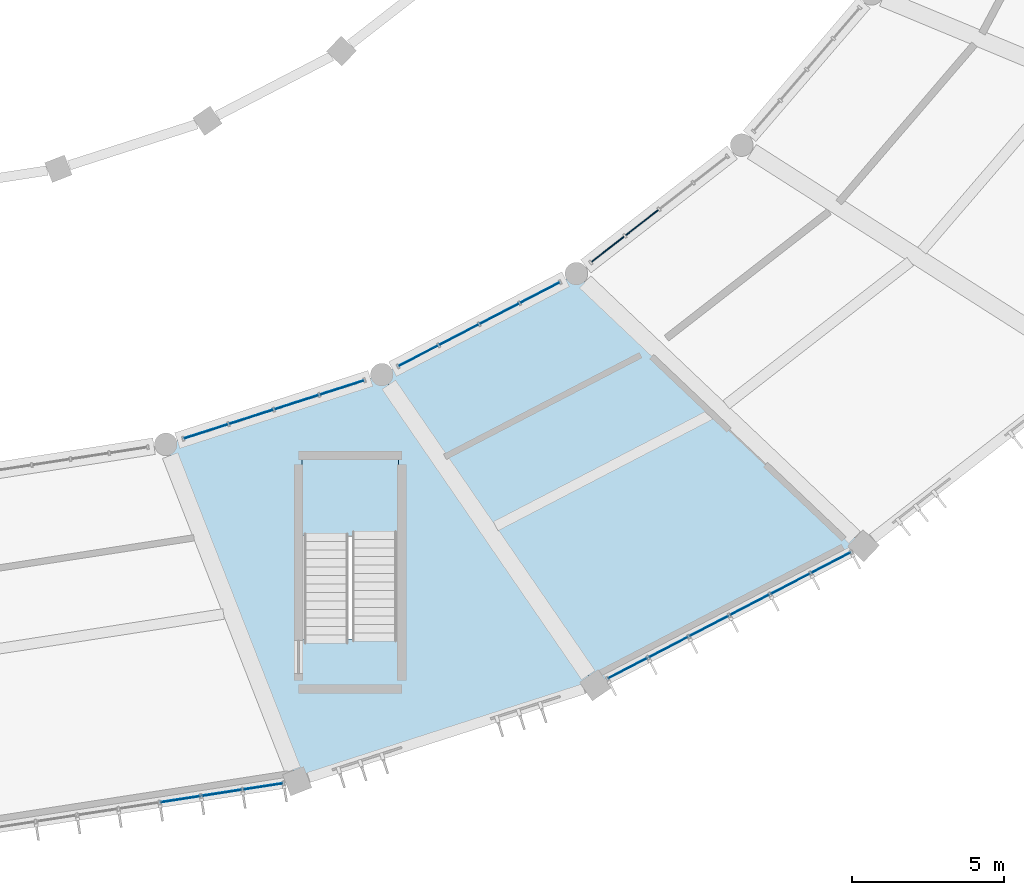
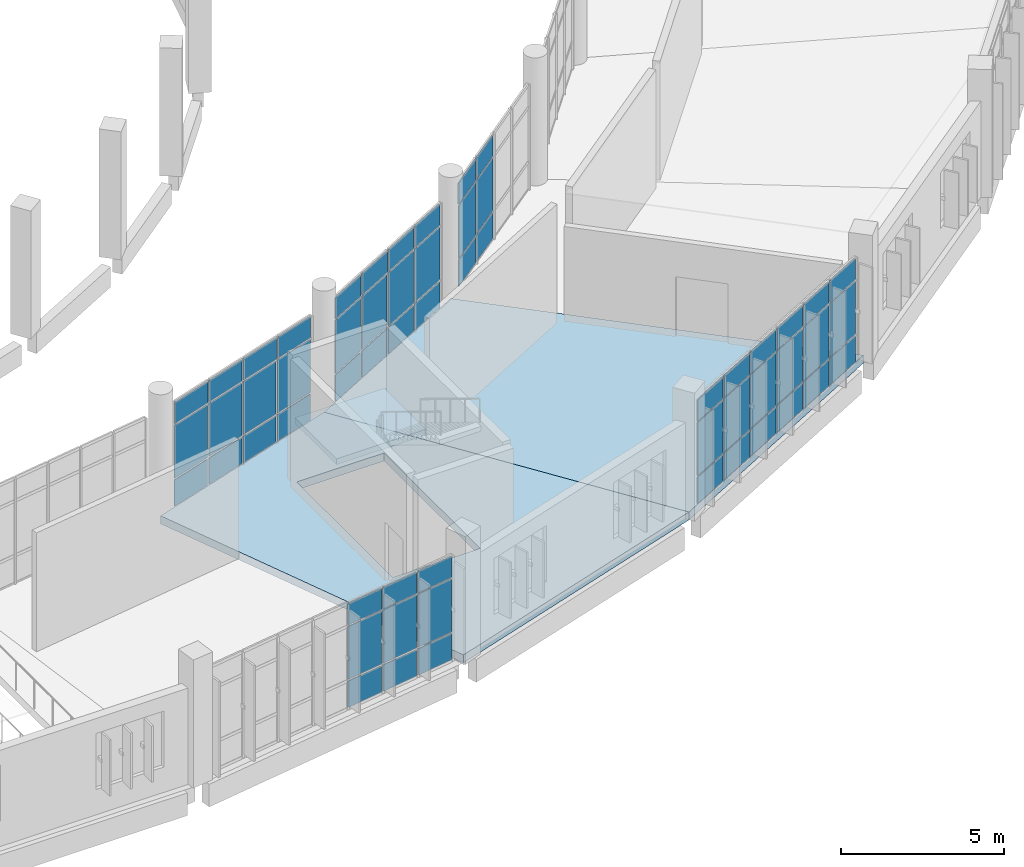
# One storey, part 96 of 179: 57 plates, 3 slabs, 6 elements without a shape of their own.
"""IFC4 building model written with IfcOpenShell, lengths in metres."""

from ifc_helpers import new_model, si_unit, direction, frame, origin, origin_2d, place, context, subcontext, project, spatial, polyline, rectangle, outline, extrude, material, layer, layer_set, type_object, element, aggregate, save


model = new_model("IFC4")

# Units and contexts
model_context = context("Model", 3, precision=1e-05, world=origin(), true_north=direction((0.0, 1.0)))
body_context = subcontext(model_context, "Body", "Model", "MODEL_VIEW")
ifc_project = project(units=[si_unit("LENGTHUNIT", "METRE"), si_unit("AREAUNIT", "SQUARE_METRE"), si_unit("VOLUMEUNIT", "CUBIC_METRE"), si_unit("PLANEANGLEUNIT", "RADIAN"), si_unit("MASSUNIT", "GRAM", prefix="KILO")], contexts=[model_context])

# Site, building, storey
site_placement = place(None, origin())
site = spatial("IfcSite", under=ifc_project, at=site_placement, CompositionType="ELEMENT")
building_placement = place(site_placement, origin())
building = spatial("IfcBuilding", under=site, at=building_placement, Name="Corvandel Quay Wholesale Market", CompositionType="ELEMENT")
storey_placement = place(building_placement, frame((0.0, 0.0, 6.0)))
storey = spatial("IfcBuildingStorey", under=building, at=storey_placement, Name="L01", CompositionType="ELEMENT", Elevation=6.0)

# Curtain wall, plates
ifc_material_1 = material(Name="Bronze anodised aluminium and low-E insulated glazing", Category="aluminium")
ifc_layer_1 = layer(ifc_material_1, 0.162109375)
ifc_layer_set_1 = layer_set([ifc_layer_1], Name="Bronze anodised aluminium and low-E insulated glazing")
curtain_wall_type_1 = type_object("IfcCurtainWallType", Name="Stick Curtain Wall System CW01 H3090", PredefinedType="NOTDEFINED", material=ifc_layer_set_1)
curtain_wall_1_placement = place(storey_placement, origin())
curtain_wall_1 = element("IfcCurtainWall", 1, at=curtain_wall_1_placement, inside=storey, type_object=curtain_wall_type_1, Name="Curtain Wall CW-0071", PredefinedType="NOTDEFINED")
ifc_material_2 = material(Name="Solar-control low-E insulated glazing", Category="glass")
ifc_layer_2 = layer(ifc_material_2, 0.0400390625)
ifc_layer_set_2 = layer_set([ifc_layer_2], Name="Solar-control low-E insulated glazing")
plate_type_1 = type_object("IfcPlateType", Name="Ceramic Fritted Spandrel Panel PN03 40mm", PredefinedType="CURTAIN_PANEL", material=ifc_layer_set_2)
plate_1_placement = place(storey_placement, frame((125.898193359375, 1.017822265625, 3.1298828125), z_axis=(0.0, 0.0, 1.0), x_axis=(0.98825506746, 0.152813355565, 0.0)))
plate_1 = element("IfcPlate", 2, at=plate_1_placement, type_object=plate_type_1, Name="Glazing Panel CW-0071-P04-2", PredefinedType="CURTAIN_PANEL", context=body_context, shape_type="SweptSolid", body=[
    extrude(rectangle(XDim=1.314453125, YDim=0.0400390625, at=origin_2d()), origin(), (0.0, 0.0, 1.0), 0.7900390625),
])
plate_2_placement = place(storey_placement, frame((127.261474609375, 1.228759765625, 3.1298828125), z_axis=(0.0, 0.0, 1.0), x_axis=(0.98825506746, 0.152813355565, 0.0)))
plate_2 = element("IfcPlate", 3, at=plate_2_placement, type_object=plate_type_1, Name="Glazing Panel CW-0071-P05-2", PredefinedType="CURTAIN_PANEL", context=body_context, shape_type="SweptSolid", body=[
    extrude(rectangle(XDim=1.314453125, YDim=0.0400390625, at=origin_2d()), origin(), (0.0, 0.0, 1.0), 0.7900390625),
])
plate_3_placement = place(storey_placement, frame((128.624755859375, 1.439697265625, 3.1298828125), z_axis=(0.0, 0.0, 1.0), x_axis=(0.98825506746, 0.152813355565, 0.0)))
plate_3 = element("IfcPlate", 4, at=plate_3_placement, type_object=plate_type_1, Name="Glazing Panel CW-0071-P06-2", PredefinedType="CURTAIN_PANEL", context=body_context, shape_type="SweptSolid", body=[
    extrude(rectangle(XDim=1.314453125, YDim=0.0400390625, at=origin_2d()), origin(), (0.0, 0.0, 1.0), 0.7900390625),
])

ifc_layer_3 = layer(ifc_material_1, 0.162109375)
ifc_layer_set_3 = layer_set([ifc_layer_3], Name="Bronze anodised aluminium and low-E insulated glazing")
curtain_wall_type_2 = type_object("IfcCurtainWallType", Name="Stick Curtain Wall System CW16 H4440", PredefinedType="NOTDEFINED", material=ifc_layer_set_3)
curtain_wall_2_placement = place(storey_placement, origin())
curtain_wall_2 = element("IfcCurtainWall", 5, at=curtain_wall_2_placement, inside=storey, type_object=curtain_wall_type_2, Name="Curtain Wall CW-0076", PredefinedType="NOTDEFINED")
plate_4_placement = place(storey_placement, frame((126.73876953125, 13.14501953125, 3.1298828125), z_axis=(0.0, 0.0, 1.0), x_axis=(0.951808747363, 0.306692204733, 0.0)))
plate_4 = element("IfcPlate", 6, at=plate_4_placement, type_object=plate_type_1, Name="Glazing Panel CW-0076-P00-2", PredefinedType="CURTAIN_PANEL", context=body_context, shape_type="SweptSolid", body=[
    extrude(rectangle(XDim=1.506103515625, YDim=0.0400390625, at=origin_2d()), origin(), (0.0, 0.0, 1.0), 0.7900390625),
])
plate_5_placement = place(storey_placement, frame((128.234375, 13.626953125, 3.1298828125), z_axis=(0.0, 0.0, 1.0), x_axis=(0.951808747363, 0.306692204733, 0.0)))
plate_5 = element("IfcPlate", 7, at=plate_5_placement, type_object=plate_type_1, Name="Glazing Panel CW-0076-P01-2", PredefinedType="CURTAIN_PANEL", context=body_context, shape_type="SweptSolid", body=[
    extrude(rectangle(XDim=1.506103515625, YDim=0.0400390625, at=origin_2d()), origin(), (0.0, 0.0, 1.0), 0.7900390625),
])
plate_6_placement = place(storey_placement, frame((129.729736328125, 14.10888671875, 3.1298828125), z_axis=(0.0, 0.0, 1.0), x_axis=(0.951808747363, 0.306692204733, 0.0)))
plate_6 = element("IfcPlate", 8, at=plate_6_placement, type_object=plate_type_1, Name="Glazing Panel CW-0076-P02-2", PredefinedType="CURTAIN_PANEL", context=body_context, shape_type="SweptSolid", body=[
    extrude(rectangle(XDim=1.506103515625, YDim=0.0400390625, at=origin_2d()), origin(), (0.0, 0.0, 1.0), 0.7900390625),
])
plate_7_placement = place(storey_placement, frame((131.22509765625, 14.591064453125, 3.1298828125), z_axis=(0.0, 0.0, 1.0), x_axis=(0.951808747363, 0.306692204733, 0.0)))
plate_7 = element("IfcPlate", 9, at=plate_7_placement, type_object=plate_type_1, Name="Glazing Panel CW-0076-P03-2", PredefinedType="CURTAIN_PANEL", context=body_context, shape_type="SweptSolid", body=[
    extrude(rectangle(XDim=1.506103515625, YDim=0.0400390625, at=origin_2d()), origin(), (0.0, 0.0, 1.0), 0.7900390625),
])

ifc_layer_4 = layer(ifc_material_1, 0.18603515625)
ifc_layer_set_4 = layer_set([ifc_layer_4], Name="Bronze anodised aluminium and low-E insulated glazing")
curtain_wall_type_3 = type_object("IfcCurtainWallType", Name="Stick Curtain Wall System CW03 H3270", PredefinedType="NOTDEFINED", material=ifc_layer_set_4)
curtain_wall_3_placement = place(storey_placement, origin())
curtain_wall_3 = element("IfcCurtainWall", 10, at=curtain_wall_3_placement, inside=storey, type_object=curtain_wall_type_3, Name="Curtain Wall CW-0078", PredefinedType="NOTDEFINED")
plate_8_placement = place(storey_placement, frame((140.648681640625, 5.3359375, 3.1298828125), z_axis=(0.0, 0.0, 1.0), x_axis=(0.887332978338, 0.461129250378, 0.0)))
plate_8 = element("IfcPlate", 11, at=plate_8_placement, type_object=plate_type_1, Name="Glazing Panel CW-0078-P00-2", PredefinedType="CURTAIN_PANEL", context=body_context, shape_type="SweptSolid", body=[
    extrude(rectangle(XDim=1.4462890625, YDim=0.0400390625, at=origin_2d()), origin(), (0.0, 0.0, 1.0), 0.7900390625),
])
plate_9_placement = place(storey_placement, frame((141.989501953125, 6.03271484375, 3.1298828125), z_axis=(0.0, 0.0, 1.0), x_axis=(0.887332978338, 0.461129250378, 0.0)))
plate_9 = element("IfcPlate", 12, at=plate_9_placement, type_object=plate_type_1, Name="Glazing Panel CW-0078-P01-2", PredefinedType="CURTAIN_PANEL", context=body_context, shape_type="SweptSolid", body=[
    extrude(rectangle(XDim=1.4462890625, YDim=0.0400390625, at=origin_2d()), origin(), (0.0, 0.0, 1.0), 0.7900390625),
])
plate_10_placement = place(storey_placement, frame((143.33056640625, 6.7294921875, 3.1298828125), z_axis=(0.0, 0.0, 1.0), x_axis=(0.887332978338, 0.461129250378, 0.0)))
plate_10 = element("IfcPlate", 13, at=plate_10_placement, type_object=plate_type_1, Name="Glazing Panel CW-0078-P02-2", PredefinedType="CURTAIN_PANEL", context=body_context, shape_type="SweptSolid", body=[
    extrude(rectangle(XDim=1.4462890625, YDim=0.0400390625, at=origin_2d()), origin(), (0.0, 0.0, 1.0), 0.7900390625),
])
plate_11_placement = place(storey_placement, frame((144.67138671875, 7.426513671875, 3.1298828125), z_axis=(0.0, 0.0, 1.0), x_axis=(0.887332978338, 0.461129250378, 0.0)))
plate_11 = element("IfcPlate", 14, at=plate_11_placement, type_object=plate_type_1, Name="Glazing Panel CW-0078-P03-2", PredefinedType="CURTAIN_PANEL", context=body_context, shape_type="SweptSolid", body=[
    extrude(rectangle(XDim=1.4462890625, YDim=0.0400390625, at=origin_2d()), origin(), (0.0, 0.0, 1.0), 0.7900390625),
])
plate_12_placement = place(storey_placement, frame((146.01220703125, 8.123291015625, 3.1298828125), z_axis=(0.0, 0.0, 1.0), x_axis=(0.887332978338, 0.461129250378, 0.0)))
plate_12 = element("IfcPlate", 15, at=plate_12_placement, type_object=plate_type_1, Name="Glazing Panel CW-0078-P04-2", PredefinedType="CURTAIN_PANEL", context=body_context, shape_type="SweptSolid", body=[
    extrude(rectangle(XDim=1.4462890625, YDim=0.0400390625, at=origin_2d()), origin(), (0.0, 0.0, 1.0), 0.7900390625),
])
plate_13_placement = place(storey_placement, frame((147.353271484375, 8.820068359375, 3.1298828125), z_axis=(0.0, 0.0, 1.0), x_axis=(0.887332978338, 0.461129250378, 0.0)))
plate_13 = element("IfcPlate", 16, at=plate_13_placement, type_object=plate_type_1, Name="Glazing Panel CW-0078-P05-2", PredefinedType="CURTAIN_PANEL", context=body_context, shape_type="SweptSolid", body=[
    extrude(rectangle(XDim=1.4462890625, YDim=0.0400390625, at=origin_2d()), origin(), (0.0, 0.0, 1.0), 0.7900390625),
])

ifc_layer_5 = layer(ifc_material_1, 0.174072265625)
ifc_layer_set_5 = layer_set([ifc_layer_5], Name="Bronze anodised aluminium and low-E insulated glazing")
curtain_wall_type_4 = type_object("IfcCurtainWallType", Name="Stick Curtain Wall System CW17 H4530", PredefinedType="NOTDEFINED", material=ifc_layer_set_5)
curtain_wall_4_placement = place(storey_placement, origin())
curtain_wall_4 = element("IfcCurtainWall", 17, at=curtain_wall_4_placement, inside=storey, type_object=curtain_wall_type_4, Name="Curtain Wall CW-0079", PredefinedType="NOTDEFINED")
plate_14_placement = place(storey_placement, frame((133.744873046875, 15.639892578125, 3.1298828125), z_axis=(0.0, 0.0, 1.0), x_axis=(0.887332978338, 0.461129250378, 0.0)))
plate_14 = element("IfcPlate", 18, at=plate_14_placement, type_object=plate_type_1, Name="Glazing Panel CW-0079-P00-2", PredefinedType="CURTAIN_PANEL", context=body_context, shape_type="SweptSolid", body=[
    extrude(rectangle(XDim=1.44189453125, YDim=0.0400390625, at=origin_2d()), origin(), (0.0, 0.0, 1.0), 0.7900390625),
])
plate_15_placement = place(storey_placement, frame((135.08203125, 16.334716796875, 3.1298828125), z_axis=(0.0, 0.0, 1.0), x_axis=(0.887332978338, 0.461129250378, 0.0)))
plate_15 = element("IfcPlate", 19, at=plate_15_placement, type_object=plate_type_1, Name="Glazing Panel CW-0079-P01-2", PredefinedType="CURTAIN_PANEL", context=body_context, shape_type="SweptSolid", body=[
    extrude(rectangle(XDim=1.44189453125, YDim=0.0400390625, at=origin_2d()), origin(), (0.0, 0.0, 1.0), 0.7900390625),
])
plate_16_placement = place(storey_placement, frame((136.4189453125, 17.029296875, 3.1298828125), z_axis=(0.0, 0.0, 1.0), x_axis=(0.887332978338, 0.461129250378, 0.0)))
plate_16 = element("IfcPlate", 20, at=plate_16_placement, type_object=plate_type_1, Name="Glazing Panel CW-0079-P02-2", PredefinedType="CURTAIN_PANEL", context=body_context, shape_type="SweptSolid", body=[
    extrude(rectangle(XDim=1.44189453125, YDim=0.0400390625, at=origin_2d()), origin(), (0.0, 0.0, 1.0), 0.7900390625),
])
plate_17_placement = place(storey_placement, frame((137.756103515625, 17.72412109375, 3.1298828125), z_axis=(0.0, 0.0, 1.0), x_axis=(0.887332978338, 0.461129250378, 0.0)))
plate_17 = element("IfcPlate", 21, at=plate_17_placement, type_object=plate_type_1, Name="Glazing Panel CW-0079-P03-2", PredefinedType="CURTAIN_PANEL", context=body_context, shape_type="SweptSolid", body=[
    extrude(rectangle(XDim=1.44189453125, YDim=0.0400390625, at=origin_2d()), origin(), (0.0, 0.0, 1.0), 0.7900390625),
])

ifc_layer_6 = layer(ifc_material_1, 0.18603515625)
ifc_layer_set_6 = layer_set([ifc_layer_6], Name="Bronze anodised aluminium and low-E insulated glazing")
curtain_wall_type_5 = type_object("IfcCurtainWallType", Name="Stick Curtain Wall System CW18 H4620", PredefinedType="NOTDEFINED", material=ifc_layer_set_6)
curtain_wall_5_placement = place(storey_placement, origin())
curtain_wall_5 = element("IfcCurtainWall", 22, at=curtain_wall_5_placement, inside=storey, type_object=curtain_wall_type_5, Name="Curtain Wall CW-0082", PredefinedType="NOTDEFINED")
plate_18_placement = place(storey_placement, frame((139.993896484375, 19.154296875, 3.1298828125), z_axis=(0.0, 0.0, 1.0), x_axis=(0.789405615633, 0.613871952452, 0.0)))
plate_18 = element("IfcPlate", 23, at=plate_18_placement, type_object=plate_type_1, Name="Glazing Panel CW-0082-P00-2", PredefinedType="CURTAIN_PANEL", context=body_context, shape_type="SweptSolid", body=[
    extrude(rectangle(XDim=1.362060546875, YDim=0.0400390625, at=origin_2d()), origin(), (0.0, 0.0, 1.0), 0.7900390625),
])
plate_19_placement = place(storey_placement, frame((141.120361328125, 20.030517578125, 3.1298828125), z_axis=(0.0, 0.0, 1.0), x_axis=(0.789405615633, 0.613871952452, 0.0)))
plate_19 = element("IfcPlate", 24, at=plate_19_placement, type_object=plate_type_1, Name="Glazing Panel CW-0082-P01-2", PredefinedType="CURTAIN_PANEL", context=body_context, shape_type="SweptSolid", body=[
    extrude(rectangle(XDim=1.362060546875, YDim=0.0400390625, at=origin_2d()), origin(), (0.0, 0.0, 1.0), 0.7900390625),
])

# Slabs
ifc_material_3 = material(Name="Concrete C40/50", Category="concrete")
ifc_layer_7 = layer(ifc_material_3, 0.300048828125)
ifc_layer_set_7 = layer_set([ifc_layer_7], Name="Concrete C40/50")
slab_type_1 = type_object("IfcSlabType", Name="Composite Trading Gallery Floor Slab 300", PredefinedType="FLOOR", material=ifc_layer_set_7)
slab_1_placement = place(storey_placement, frame((0.0, 0.0, -0.300048828125)))
element("IfcSlab", 25, at=slab_1_placement, inside=storey, type_object=slab_type_1, Name="Slab SLB-0120", PredefinedType="FLOOR", context=body_context, shape_type="SweptSolid", body=[
    extrude(outline(polyline([(125.419921875, 12.719970703125), (132.5439453125, 15.01611328125), (139.5791015625, 4.780029296875), (129.7509765625, 1.614013671875), (125.419921875, 12.719970703125)]), holes=[polyline([(133.050048828125, 6.300048828125), (133.050048828125, 12.199951171875), (129.949951171875, 12.199951171875), (129.949951171875, 6.300048828125), (133.050048828125, 6.300048828125)])]), origin(), (0.0, 0.0, 1.0), 0.300048828125),
])
slab_2_placement = place(storey_placement, frame((0.0, 0.0, -0.300048828125)))
element("IfcSlab", 26, at=slab_2_placement, inside=storey, type_object=slab_type_1, Name="Slab SLB-0124", PredefinedType="FLOOR", context=body_context, shape_type="SweptSolid", body=[
    extrude(outline(polyline([(132.5439453125, 15.01611328125), (138.95703125, 18.347900390625), (148.423095703125, 9.3759765625), (139.5791015625, 4.780029296875), (132.5439453125, 15.01611328125)])), origin(), (0.0, 0.0, 1.0), 0.300048828125),
])

# Plate
ifc_layer_8 = layer(ifc_material_2, 0.028076171875)
ifc_layer_set_8 = layer_set([ifc_layer_8], Name="Solar-control low-E insulated glazing")
plate_type_2 = type_object("IfcPlateType", Name="Double Low-E Vision Panel PN01 28mm", PredefinedType="CURTAIN_PANEL", material=ifc_layer_set_8)
plate_20_placement = place(storey_placement, frame((125.898193359375, 1.017822265625, 0.02978515625), z_axis=(0.0, 0.0, 1.0), x_axis=(0.98825506746, 0.152813355565, 0.0)))
plate_20 = element("IfcPlate", 27, at=plate_20_placement, type_object=plate_type_2, Name="Glazing Panel CW-0071-P04-0", PredefinedType="CURTAIN_PANEL", context=body_context, shape_type="SweptSolid", body=[
    extrude(rectangle(XDim=1.314453125, YDim=0.028076171875, at=origin_2d()), origin(), (0.0, 0.0, 1.0), 0.989990234375),
])

plate_21_placement = place(storey_placement, frame((125.898193359375, 1.017822265625, 1.080078125), z_axis=(0.0, 0.0, 1.0), x_axis=(0.98825506746, 0.152813355565, 0.0)))
plate_21 = element("IfcPlate", 28, at=plate_21_placement, type_object=plate_type_2, Name="Glazing Panel CW-0071-P04-1", PredefinedType="CURTAIN_PANEL", context=body_context, shape_type="SweptSolid", body=[
    extrude(rectangle(XDim=1.314453125, YDim=0.028076171875, at=origin_2d()), origin(), (0.0, 0.0, 1.0), 1.989990234375),
])

plate_22_placement = place(storey_placement, frame((127.261474609375, 1.228759765625, 0.02978515625), z_axis=(0.0, 0.0, 1.0), x_axis=(0.98825506746, 0.152813355565, 0.0)))
plate_22 = element("IfcPlate", 29, at=plate_22_placement, type_object=plate_type_2, Name="Glazing Panel CW-0071-P05-0", PredefinedType="CURTAIN_PANEL", context=body_context, shape_type="SweptSolid", body=[
    extrude(rectangle(XDim=1.314453125, YDim=0.028076171875, at=origin_2d()), origin(), (0.0, 0.0, 1.0), 0.989990234375),
])

plate_23_placement = place(storey_placement, frame((127.261474609375, 1.228759765625, 1.080078125), z_axis=(0.0, 0.0, 1.0), x_axis=(0.98825506746, 0.152813355565, 0.0)))
plate_23 = element("IfcPlate", 30, at=plate_23_placement, type_object=plate_type_2, Name="Glazing Panel CW-0071-P05-1", PredefinedType="CURTAIN_PANEL", context=body_context, shape_type="SweptSolid", body=[
    extrude(rectangle(XDim=1.314453125, YDim=0.028076171875, at=origin_2d()), origin(), (0.0, 0.0, 1.0), 1.989990234375),
])

plate_24_placement = place(storey_placement, frame((128.624755859375, 1.439697265625, 0.02978515625), z_axis=(0.0, 0.0, 1.0), x_axis=(0.98825506746, 0.152813355565, 0.0)))
plate_24 = element("IfcPlate", 31, at=plate_24_placement, type_object=plate_type_2, Name="Glazing Panel CW-0071-P06-0", PredefinedType="CURTAIN_PANEL", context=body_context, shape_type="SweptSolid", body=[
    extrude(rectangle(XDim=1.314453125, YDim=0.028076171875, at=origin_2d()), origin(), (0.0, 0.0, 1.0), 0.989990234375),
])

plate_25_placement = place(storey_placement, frame((128.624755859375, 1.439697265625, 1.080078125), z_axis=(0.0, 0.0, 1.0), x_axis=(0.98825506746, 0.152813355565, 0.0)))
plate_25 = element("IfcPlate", 32, at=plate_25_placement, type_object=plate_type_2, Name="Glazing Panel CW-0071-P06-1", PredefinedType="CURTAIN_PANEL", context=body_context, shape_type="SweptSolid", body=[
    extrude(rectangle(XDim=1.314453125, YDim=0.028076171875, at=origin_2d()), origin(), (0.0, 0.0, 1.0), 1.989990234375),
])

aggregate(curtain_wall_1, [plate_20, plate_21, plate_1, plate_22, plate_23, plate_2, plate_24, plate_25, plate_3])

plate_26_placement = place(storey_placement, frame((126.73876953125, 13.14501953125, 0.02978515625), z_axis=(0.0, 0.0, 1.0), x_axis=(0.951808747363, 0.306692204733, 0.0)))
plate_26 = element("IfcPlate", 33, at=plate_26_placement, type_object=plate_type_2, Name="Glazing Panel CW-0076-P00-0", PredefinedType="CURTAIN_PANEL", context=body_context, shape_type="SweptSolid", body=[
    extrude(rectangle(XDim=1.506103515625, YDim=0.028076171875, at=origin_2d()), origin(), (0.0, 0.0, 1.0), 0.989990234375),
])

plate_27_placement = place(storey_placement, frame((126.73876953125, 13.14501953125, 1.080078125), z_axis=(0.0, 0.0, 1.0), x_axis=(0.951808747363, 0.306692204733, 0.0)))
plate_27 = element("IfcPlate", 34, at=plate_27_placement, type_object=plate_type_2, Name="Glazing Panel CW-0076-P00-1", PredefinedType="CURTAIN_PANEL", context=body_context, shape_type="SweptSolid", body=[
    extrude(rectangle(XDim=1.506103515625, YDim=0.028076171875, at=origin_2d()), origin(), (0.0, 0.0, 1.0), 1.989990234375),
])

plate_28_placement = place(storey_placement, frame((128.234375, 13.626953125, 0.02978515625), z_axis=(0.0, 0.0, 1.0), x_axis=(0.951808747363, 0.306692204733, 0.0)))
plate_28 = element("IfcPlate", 35, at=plate_28_placement, type_object=plate_type_2, Name="Glazing Panel CW-0076-P01-0", PredefinedType="CURTAIN_PANEL", context=body_context, shape_type="SweptSolid", body=[
    extrude(rectangle(XDim=1.506103515625, YDim=0.028076171875, at=origin_2d()), origin(), (0.0, 0.0, 1.0), 0.989990234375),
])

plate_29_placement = place(storey_placement, frame((128.234375, 13.626953125, 1.080078125), z_axis=(0.0, 0.0, 1.0), x_axis=(0.951808747363, 0.306692204733, 0.0)))
plate_29 = element("IfcPlate", 36, at=plate_29_placement, type_object=plate_type_2, Name="Glazing Panel CW-0076-P01-1", PredefinedType="CURTAIN_PANEL", context=body_context, shape_type="SweptSolid", body=[
    extrude(rectangle(XDim=1.506103515625, YDim=0.028076171875, at=origin_2d()), origin(), (0.0, 0.0, 1.0), 1.989990234375),
])

plate_30_placement = place(storey_placement, frame((129.729736328125, 14.10888671875, 0.02978515625), z_axis=(0.0, 0.0, 1.0), x_axis=(0.951808747363, 0.306692204733, 0.0)))
plate_30 = element("IfcPlate", 37, at=plate_30_placement, type_object=plate_type_2, Name="Glazing Panel CW-0076-P02-0", PredefinedType="CURTAIN_PANEL", context=body_context, shape_type="SweptSolid", body=[
    extrude(rectangle(XDim=1.506103515625, YDim=0.028076171875, at=origin_2d()), origin(), (0.0, 0.0, 1.0), 0.989990234375),
])

plate_31_placement = place(storey_placement, frame((129.729736328125, 14.10888671875, 1.080078125), z_axis=(0.0, 0.0, 1.0), x_axis=(0.951808747363, 0.306692204733, 0.0)))
plate_31 = element("IfcPlate", 38, at=plate_31_placement, type_object=plate_type_2, Name="Glazing Panel CW-0076-P02-1", PredefinedType="CURTAIN_PANEL", context=body_context, shape_type="SweptSolid", body=[
    extrude(rectangle(XDim=1.506103515625, YDim=0.028076171875, at=origin_2d()), origin(), (0.0, 0.0, 1.0), 1.989990234375),
])

plate_32_placement = place(storey_placement, frame((131.22509765625, 14.591064453125, 0.02978515625), z_axis=(0.0, 0.0, 1.0), x_axis=(0.951808747363, 0.306692204733, 0.0)))
plate_32 = element("IfcPlate", 39, at=plate_32_placement, type_object=plate_type_2, Name="Glazing Panel CW-0076-P03-0", PredefinedType="CURTAIN_PANEL", context=body_context, shape_type="SweptSolid", body=[
    extrude(rectangle(XDim=1.506103515625, YDim=0.028076171875, at=origin_2d()), origin(), (0.0, 0.0, 1.0), 0.989990234375),
])

plate_33_placement = place(storey_placement, frame((131.22509765625, 14.591064453125, 1.080078125), z_axis=(0.0, 0.0, 1.0), x_axis=(0.951808747363, 0.306692204733, 0.0)))
plate_33 = element("IfcPlate", 40, at=plate_33_placement, type_object=plate_type_2, Name="Glazing Panel CW-0076-P03-1", PredefinedType="CURTAIN_PANEL", context=body_context, shape_type="SweptSolid", body=[
    extrude(rectangle(XDim=1.506103515625, YDim=0.028076171875, at=origin_2d()), origin(), (0.0, 0.0, 1.0), 1.989990234375),
])

aggregate(curtain_wall_2, [plate_26, plate_27, plate_4, plate_28, plate_29, plate_5, plate_30, plate_31, plate_6, plate_32, plate_33, plate_7])

plate_34_placement = place(storey_placement, frame((140.648681640625, 5.3359375, 0.02978515625), z_axis=(0.0, 0.0, 1.0), x_axis=(0.887332978338, 0.461129250378, 0.0)))
plate_34 = element("IfcPlate", 41, at=plate_34_placement, type_object=plate_type_2, Name="Glazing Panel CW-0078-P00-0", PredefinedType="CURTAIN_PANEL", context=body_context, shape_type="SweptSolid", body=[
    extrude(rectangle(XDim=1.4462890625, YDim=0.028076171875, at=origin_2d()), origin(), (0.0, 0.0, 1.0), 0.989990234375),
])

plate_35_placement = place(storey_placement, frame((140.648681640625, 5.3359375, 1.080078125), z_axis=(0.0, 0.0, 1.0), x_axis=(0.887332978338, 0.461129250378, 0.0)))
plate_35 = element("IfcPlate", 42, at=plate_35_placement, type_object=plate_type_2, Name="Glazing Panel CW-0078-P00-1", PredefinedType="CURTAIN_PANEL", context=body_context, shape_type="SweptSolid", body=[
    extrude(rectangle(XDim=1.4462890625, YDim=0.028076171875, at=origin_2d()), origin(), (0.0, 0.0, 1.0), 1.989990234375),
])

plate_36_placement = place(storey_placement, frame((141.989501953125, 6.03271484375, 0.02978515625), z_axis=(0.0, 0.0, 1.0), x_axis=(0.887332978338, 0.461129250378, 0.0)))
plate_36 = element("IfcPlate", 43, at=plate_36_placement, type_object=plate_type_2, Name="Glazing Panel CW-0078-P01-0", PredefinedType="CURTAIN_PANEL", context=body_context, shape_type="SweptSolid", body=[
    extrude(rectangle(XDim=1.4462890625, YDim=0.028076171875, at=origin_2d()), origin(), (0.0, 0.0, 1.0), 0.989990234375),
])

plate_37_placement = place(storey_placement, frame((141.989501953125, 6.03271484375, 1.080078125), z_axis=(0.0, 0.0, 1.0), x_axis=(0.887332978338, 0.461129250378, 0.0)))
plate_37 = element("IfcPlate", 44, at=plate_37_placement, type_object=plate_type_2, Name="Glazing Panel CW-0078-P01-1", PredefinedType="CURTAIN_PANEL", context=body_context, shape_type="SweptSolid", body=[
    extrude(rectangle(XDim=1.4462890625, YDim=0.028076171875, at=origin_2d()), origin(), (0.0, 0.0, 1.0), 1.989990234375),
])

plate_38_placement = place(storey_placement, frame((143.33056640625, 6.7294921875, 0.02978515625), z_axis=(0.0, 0.0, 1.0), x_axis=(0.887332978338, 0.461129250378, 0.0)))
plate_38 = element("IfcPlate", 45, at=plate_38_placement, type_object=plate_type_2, Name="Glazing Panel CW-0078-P02-0", PredefinedType="CURTAIN_PANEL", context=body_context, shape_type="SweptSolid", body=[
    extrude(rectangle(XDim=1.4462890625, YDim=0.028076171875, at=origin_2d()), origin(), (0.0, 0.0, 1.0), 0.989990234375),
])

plate_39_placement = place(storey_placement, frame((143.33056640625, 6.7294921875, 1.080078125), z_axis=(0.0, 0.0, 1.0), x_axis=(0.887332978338, 0.461129250378, 0.0)))
plate_39 = element("IfcPlate", 46, at=plate_39_placement, type_object=plate_type_2, Name="Glazing Panel CW-0078-P02-1", PredefinedType="CURTAIN_PANEL", context=body_context, shape_type="SweptSolid", body=[
    extrude(rectangle(XDim=1.4462890625, YDim=0.028076171875, at=origin_2d()), origin(), (0.0, 0.0, 1.0), 1.989990234375),
])

plate_40_placement = place(storey_placement, frame((144.67138671875, 7.426513671875, 0.02978515625), z_axis=(0.0, 0.0, 1.0), x_axis=(0.887332978338, 0.461129250378, 0.0)))
plate_40 = element("IfcPlate", 47, at=plate_40_placement, type_object=plate_type_2, Name="Glazing Panel CW-0078-P03-0", PredefinedType="CURTAIN_PANEL", context=body_context, shape_type="SweptSolid", body=[
    extrude(rectangle(XDim=1.4462890625, YDim=0.028076171875, at=origin_2d()), origin(), (0.0, 0.0, 1.0), 0.989990234375),
])

plate_41_placement = place(storey_placement, frame((144.67138671875, 7.426513671875, 1.080078125), z_axis=(0.0, 0.0, 1.0), x_axis=(0.887332978338, 0.461129250378, 0.0)))
plate_41 = element("IfcPlate", 48, at=plate_41_placement, type_object=plate_type_2, Name="Glazing Panel CW-0078-P03-1", PredefinedType="CURTAIN_PANEL", context=body_context, shape_type="SweptSolid", body=[
    extrude(rectangle(XDim=1.4462890625, YDim=0.028076171875, at=origin_2d()), origin(), (0.0, 0.0, 1.0), 1.989990234375),
])

plate_42_placement = place(storey_placement, frame((146.01220703125, 8.123291015625, 0.02978515625), z_axis=(0.0, 0.0, 1.0), x_axis=(0.887332978338, 0.461129250378, 0.0)))
plate_42 = element("IfcPlate", 49, at=plate_42_placement, type_object=plate_type_2, Name="Glazing Panel CW-0078-P04-0", PredefinedType="CURTAIN_PANEL", context=body_context, shape_type="SweptSolid", body=[
    extrude(rectangle(XDim=1.4462890625, YDim=0.028076171875, at=origin_2d()), origin(), (0.0, 0.0, 1.0), 0.989990234375),
])

plate_43_placement = place(storey_placement, frame((146.01220703125, 8.123291015625, 1.080078125), z_axis=(0.0, 0.0, 1.0), x_axis=(0.887332978338, 0.461129250378, 0.0)))
plate_43 = element("IfcPlate", 50, at=plate_43_placement, type_object=plate_type_2, Name="Glazing Panel CW-0078-P04-1", PredefinedType="CURTAIN_PANEL", context=body_context, shape_type="SweptSolid", body=[
    extrude(rectangle(XDim=1.4462890625, YDim=0.028076171875, at=origin_2d()), origin(), (0.0, 0.0, 1.0), 1.989990234375),
])

plate_44_placement = place(storey_placement, frame((147.353271484375, 8.820068359375, 0.02978515625), z_axis=(0.0, 0.0, 1.0), x_axis=(0.887332978338, 0.461129250378, 0.0)))
plate_44 = element("IfcPlate", 51, at=plate_44_placement, type_object=plate_type_2, Name="Glazing Panel CW-0078-P05-0", PredefinedType="CURTAIN_PANEL", context=body_context, shape_type="SweptSolid", body=[
    extrude(rectangle(XDim=1.4462890625, YDim=0.028076171875, at=origin_2d()), origin(), (0.0, 0.0, 1.0), 0.989990234375),
])

plate_45_placement = place(storey_placement, frame((147.353271484375, 8.820068359375, 1.080078125), z_axis=(0.0, 0.0, 1.0), x_axis=(0.887332978338, 0.461129250378, 0.0)))
plate_45 = element("IfcPlate", 52, at=plate_45_placement, type_object=plate_type_2, Name="Glazing Panel CW-0078-P05-1", PredefinedType="CURTAIN_PANEL", context=body_context, shape_type="SweptSolid", body=[
    extrude(rectangle(XDim=1.4462890625, YDim=0.028076171875, at=origin_2d()), origin(), (0.0, 0.0, 1.0), 1.989990234375),
])

aggregate(curtain_wall_3, [plate_34, plate_35, plate_8, plate_36, plate_37, plate_9, plate_38, plate_39, plate_10, plate_40, plate_41, plate_11, plate_42, plate_43, plate_12, plate_44, plate_45, plate_13])

plate_46_placement = place(storey_placement, frame((133.744873046875, 15.639892578125, 0.02978515625), z_axis=(0.0, 0.0, 1.0), x_axis=(0.887332978338, 0.461129250378, 0.0)))
plate_46 = element("IfcPlate", 53, at=plate_46_placement, type_object=plate_type_2, Name="Glazing Panel CW-0079-P00-0", PredefinedType="CURTAIN_PANEL", context=body_context, shape_type="SweptSolid", body=[
    extrude(rectangle(XDim=1.44189453125, YDim=0.028076171875, at=origin_2d()), origin(), (0.0, 0.0, 1.0), 0.989990234375),
])

plate_47_placement = place(storey_placement, frame((133.744873046875, 15.639892578125, 1.080078125), z_axis=(0.0, 0.0, 1.0), x_axis=(0.887332978338, 0.461129250378, 0.0)))
plate_47 = element("IfcPlate", 54, at=plate_47_placement, type_object=plate_type_2, Name="Glazing Panel CW-0079-P00-1", PredefinedType="CURTAIN_PANEL", context=body_context, shape_type="SweptSolid", body=[
    extrude(rectangle(XDim=1.44189453125, YDim=0.028076171875, at=origin_2d()), origin(), (0.0, 0.0, 1.0), 1.989990234375),
])

plate_48_placement = place(storey_placement, frame((135.08203125, 16.334716796875, 0.02978515625), z_axis=(0.0, 0.0, 1.0), x_axis=(0.887332978338, 0.461129250378, 0.0)))
plate_48 = element("IfcPlate", 55, at=plate_48_placement, type_object=plate_type_2, Name="Glazing Panel CW-0079-P01-0", PredefinedType="CURTAIN_PANEL", context=body_context, shape_type="SweptSolid", body=[
    extrude(rectangle(XDim=1.44189453125, YDim=0.028076171875, at=origin_2d()), origin(), (0.0, 0.0, 1.0), 0.989990234375),
])

plate_49_placement = place(storey_placement, frame((135.08203125, 16.334716796875, 1.080078125), z_axis=(0.0, 0.0, 1.0), x_axis=(0.887332978338, 0.461129250378, 0.0)))
plate_49 = element("IfcPlate", 56, at=plate_49_placement, type_object=plate_type_2, Name="Glazing Panel CW-0079-P01-1", PredefinedType="CURTAIN_PANEL", context=body_context, shape_type="SweptSolid", body=[
    extrude(rectangle(XDim=1.44189453125, YDim=0.028076171875, at=origin_2d()), origin(), (0.0, 0.0, 1.0), 1.989990234375),
])

plate_50_placement = place(storey_placement, frame((136.4189453125, 17.029296875, 0.02978515625), z_axis=(0.0, 0.0, 1.0), x_axis=(0.887332978338, 0.461129250378, 0.0)))
plate_50 = element("IfcPlate", 57, at=plate_50_placement, type_object=plate_type_2, Name="Glazing Panel CW-0079-P02-0", PredefinedType="CURTAIN_PANEL", context=body_context, shape_type="SweptSolid", body=[
    extrude(rectangle(XDim=1.44189453125, YDim=0.028076171875, at=origin_2d()), origin(), (0.0, 0.0, 1.0), 0.989990234375),
])

plate_51_placement = place(storey_placement, frame((136.4189453125, 17.029296875, 1.080078125), z_axis=(0.0, 0.0, 1.0), x_axis=(0.887332978338, 0.461129250378, 0.0)))
plate_51 = element("IfcPlate", 58, at=plate_51_placement, type_object=plate_type_2, Name="Glazing Panel CW-0079-P02-1", PredefinedType="CURTAIN_PANEL", context=body_context, shape_type="SweptSolid", body=[
    extrude(rectangle(XDim=1.44189453125, YDim=0.028076171875, at=origin_2d()), origin(), (0.0, 0.0, 1.0), 1.989990234375),
])

plate_52_placement = place(storey_placement, frame((137.756103515625, 17.72412109375, 0.02978515625), z_axis=(0.0, 0.0, 1.0), x_axis=(0.887332978338, 0.461129250378, 0.0)))
plate_52 = element("IfcPlate", 59, at=plate_52_placement, type_object=plate_type_2, Name="Glazing Panel CW-0079-P03-0", PredefinedType="CURTAIN_PANEL", context=body_context, shape_type="SweptSolid", body=[
    extrude(rectangle(XDim=1.44189453125, YDim=0.028076171875, at=origin_2d()), origin(), (0.0, 0.0, 1.0), 0.989990234375),
])

plate_53_placement = place(storey_placement, frame((137.756103515625, 17.72412109375, 1.080078125), z_axis=(0.0, 0.0, 1.0), x_axis=(0.887332978338, 0.461129250378, 0.0)))
plate_53 = element("IfcPlate", 60, at=plate_53_placement, type_object=plate_type_2, Name="Glazing Panel CW-0079-P03-1", PredefinedType="CURTAIN_PANEL", context=body_context, shape_type="SweptSolid", body=[
    extrude(rectangle(XDim=1.44189453125, YDim=0.028076171875, at=origin_2d()), origin(), (0.0, 0.0, 1.0), 1.989990234375),
])

aggregate(curtain_wall_4, [plate_46, plate_47, plate_14, plate_48, plate_49, plate_15, plate_50, plate_51, plate_16, plate_52, plate_53, plate_17])

plate_54_placement = place(storey_placement, frame((139.993896484375, 19.154296875, 0.02978515625), z_axis=(0.0, 0.0, 1.0), x_axis=(0.789405615633, 0.613871952452, 0.0)))
plate_54 = element("IfcPlate", 61, at=plate_54_placement, type_object=plate_type_2, Name="Glazing Panel CW-0082-P00-0", PredefinedType="CURTAIN_PANEL", context=body_context, shape_type="SweptSolid", body=[
    extrude(rectangle(XDim=1.362060546875, YDim=0.028076171875, at=origin_2d()), origin(), (0.0, 0.0, 1.0), 0.989990234375),
])

plate_55_placement = place(storey_placement, frame((139.993896484375, 19.154296875, 1.080078125), z_axis=(0.0, 0.0, 1.0), x_axis=(0.789405615633, 0.613871952452, 0.0)))
plate_55 = element("IfcPlate", 62, at=plate_55_placement, type_object=plate_type_2, Name="Glazing Panel CW-0082-P00-1", PredefinedType="CURTAIN_PANEL", context=body_context, shape_type="SweptSolid", body=[
    extrude(rectangle(XDim=1.362060546875, YDim=0.028076171875, at=origin_2d()), origin(), (0.0, 0.0, 1.0), 1.989990234375),
])

plate_56_placement = place(storey_placement, frame((141.120361328125, 20.030517578125, 0.02978515625), z_axis=(0.0, 0.0, 1.0), x_axis=(0.789405615633, 0.613871952452, 0.0)))
plate_56 = element("IfcPlate", 63, at=plate_56_placement, type_object=plate_type_2, Name="Glazing Panel CW-0082-P01-0", PredefinedType="CURTAIN_PANEL", context=body_context, shape_type="SweptSolid", body=[
    extrude(rectangle(XDim=1.362060546875, YDim=0.028076171875, at=origin_2d()), origin(), (0.0, 0.0, 1.0), 0.989990234375),
])

plate_57_placement = place(storey_placement, frame((141.120361328125, 20.030517578125, 1.080078125), z_axis=(0.0, 0.0, 1.0), x_axis=(0.789405615633, 0.613871952452, 0.0)))
plate_57 = element("IfcPlate", 64, at=plate_57_placement, type_object=plate_type_2, Name="Glazing Panel CW-0082-P01-1", PredefinedType="CURTAIN_PANEL", context=body_context, shape_type="SweptSolid", body=[
    extrude(rectangle(XDim=1.362060546875, YDim=0.028076171875, at=origin_2d()), origin(), (0.0, 0.0, 1.0), 1.989990234375),
])

aggregate(curtain_wall_5, [plate_54, plate_55, plate_18, plate_56, plate_57, plate_19])

# Stair, slab
stair_type = type_object("IfcStairType", Name="Exit Stair Two-Return L01-L02 ST02", PredefinedType="USERDEFINED", material=ifc_material_3)
stair_placement = place(storey_placement, origin())
stair = element("IfcStair", 65, at=stair_placement, inside=storey, type_object=stair_type, Name="Exit Stair STR-008", ObjectType="TWO_RETURN_STAIR", PredefinedType="USERDEFINED")
ifc_layer_9 = layer(ifc_material_3, 0.219970703125)
ifc_layer_set_9 = layer_set([ifc_layer_9], Name="Concrete C40/50")
slab_type_2 = type_object("IfcSlabType", Name="Precast Stair Landing LND02 220", PredefinedType="LANDING", material=ifc_layer_set_9)
slab_3_placement = place(storey_placement, frame((0.0, 0.0, 2.179931640625)))
slab_3 = element("IfcSlab", 66, at=slab_3_placement, type_object=slab_type_2, Name="Stair Landing STR-008-LND", PredefinedType="LANDING", context=body_context, shape_type="SweptSolid", body=[
    extrude(outline(polyline([(129.909912109375, 9.68994140625), (133.090087890625, 9.68994140625), (133.090087890625, 12.239990234375), (129.909912109375, 12.239990234375), (129.909912109375, 9.68994140625)])), origin(), (0.0, 0.0, 1.0), 0.219970703125),
])
aggregate(stair, [slab_3])

save(model, "model.ifc")
